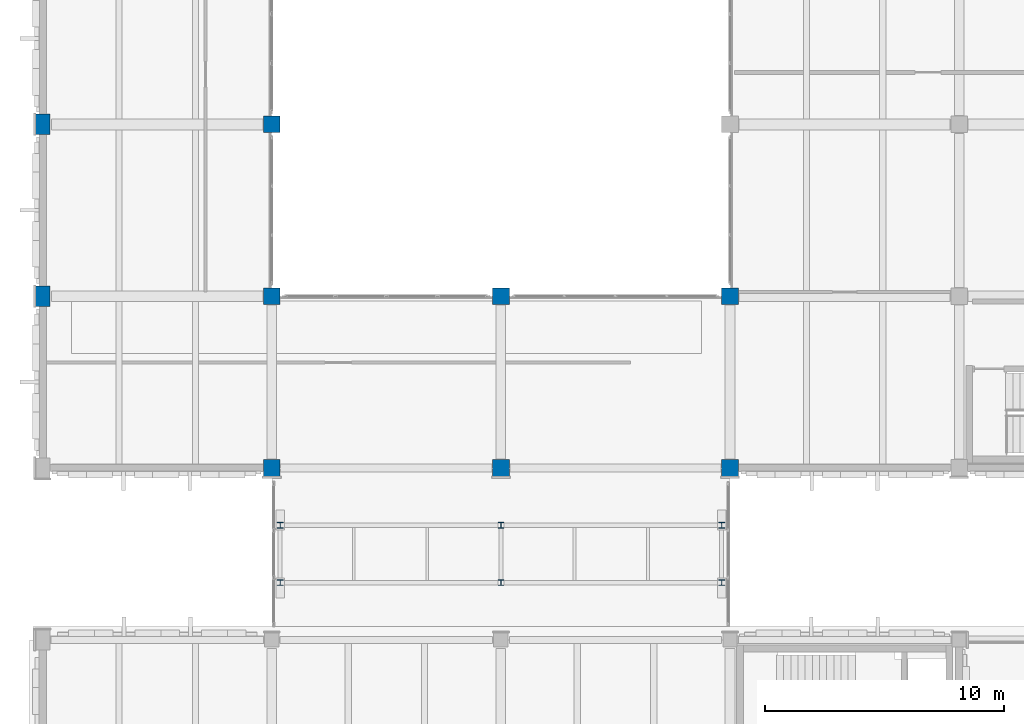
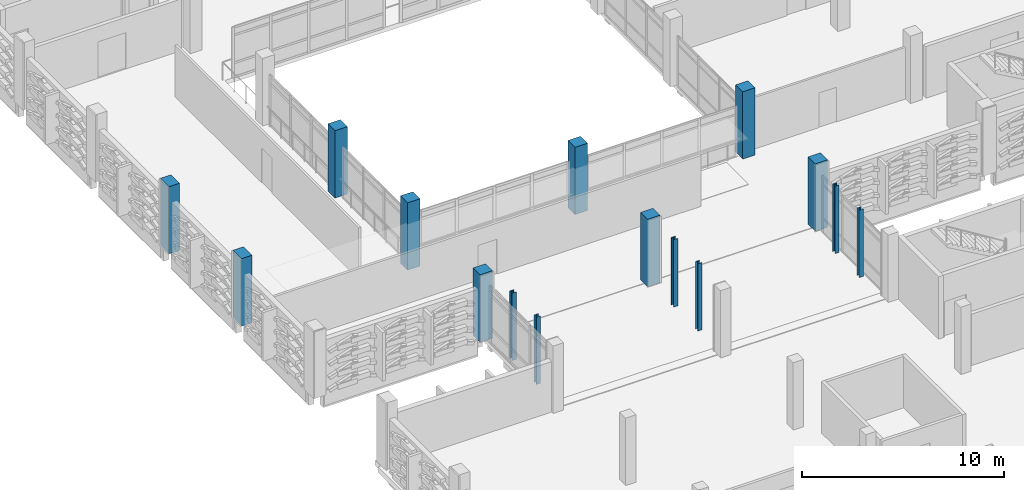
# One storey, part 3 of 134: 15 columns.
"""IFC4 building model written with IfcOpenShell, lengths in metres."""

from ifc_helpers import new_model, si_unit, direction, frame, origin, origin_2d, place, context, subcontext, project, spatial, rectangle, i_section, extrude, material, material_profile, profile_set, type_object, element, save


model = new_model("IFC4")

# Units and contexts
model_context = context("Model", 3, precision=1e-05, world=origin(), true_north=direction((0.0, 1.0)))
body_context = subcontext(model_context, "Body", "Model", "MODEL_VIEW")
ifc_project = project(units=[si_unit("LENGTHUNIT", "METRE"), si_unit("AREAUNIT", "SQUARE_METRE"), si_unit("VOLUMEUNIT", "CUBIC_METRE"), si_unit("PLANEANGLEUNIT", "RADIAN"), si_unit("MASSUNIT", "GRAM", prefix="KILO")], contexts=[model_context])

# Site, building, storey
site_placement = place(None, origin())
site = spatial("IfcSite", under=ifc_project, at=site_placement, CompositionType="ELEMENT")
building_placement = place(site_placement, origin())
building = spatial("IfcBuilding", under=site, at=building_placement, Name="Asteropetra Specialist Clinic", CompositionType="ELEMENT")
storey_placement = place(building_placement, frame((0.0, 0.0, 8.5)))
storey = spatial("IfcBuildingStorey", under=building, at=storey_placement, Name="L02", CompositionType="ELEMENT", Elevation=8.5)

# Columns
ifc_material_1 = material(Name="Concrete C35/45", Category="concrete")
ifc_material_profile_1 = material_profile(ifc_material_1, rectangle(XDim=0.60009765625, YDim=0.85009765625, at=origin_2d()), Name="RC 600x850")
ifc_profile_set_1 = profile_set([ifc_material_profile_1], Name="Concrete C35/45")
column_type_1 = type_object("IfcColumnType", Name="COL-RC600x850", PredefinedType="COLUMN", material=ifc_profile_set_1)
for number, where, z_axis, x_axis, name in (
    (1, (0.0, 76.800048828125, 0.0), (0.0, 0.0, 1.0), (1.0, 0.0, 0.0), "Column CCOL09-0047"),
    (2, (0.0, 84.0, 0.0), (0.0, 0.0, 1.0), (1.0, 0.0, 0.0), "Column CCOL09-0053"),
):
    element("IfcColumn", number, at=place(storey_placement, frame(where, z_axis=z_axis, x_axis=x_axis)), inside=storey, type_object=column_type_1, Name=name, PredefinedType="COLUMN", context=body_context, shape_type="SweptSolid", body=[
        extrude(rectangle(XDim=0.60009765625, YDim=0.85009765625, at=origin_2d()), origin(), (0.0, 0.0, 1.0), 4.080078125),
    ])
ifc_material_2 = material(Name="Concrete C35/45", Category="concrete")
ifc_material_profile_2 = material_profile(ifc_material_2, rectangle(XDim=0.699951171875, YDim=0.699951171875, at=origin_2d()), Name="RC 700x700")
ifc_profile_set_2 = profile_set([ifc_material_profile_2], Name="Concrete C35/45")
column_type_2 = type_object("IfcColumnType", Name="COL-RC700", PredefinedType="COLUMN", material=ifc_profile_set_2)
for number, where, z_axis, x_axis, name in (
    (3, (9.60009765625, 69.60009765625, 0.0), (0.0, 0.0, 1.0), (1.0, 0.0, 0.0), "Column CCOL03-0123"),
    (4, (9.60009765625, 76.800048828125, 0.0), (0.0, 0.0, 1.0), (1.0, 0.0, 0.0), "Column CCOL03-0127"),
    (5, (9.60009765625, 84.0, 0.0), (0.0, 0.0, 1.0), (1.0, 0.0, 0.0), "Column CCOL03-0133"),
    (6, (19.199951171875, 69.60009765625, 0.0), (0.0, 0.0, 1.0), (1.0, 0.0, 0.0), "Column CCOL03-0235"),
    (7, (19.199951171875, 76.800048828125, 0.0), (0.0, 0.0, 1.0), (1.0, 0.0, 0.0), "Column CCOL03-0239"),
    (8, (28.800048828125, 69.60009765625, 0.0), (0.0, 0.0, 1.0), (1.0, 0.0, 0.0), "Column CCOL03-0319"),
    (9, (28.800048828125, 76.800048828125, 0.0), (0.0, 0.0, 1.0), (1.0, 0.0, 0.0), "Column CCOL03-0323"),
):
    element("IfcColumn", number, at=place(storey_placement, frame(where, z_axis=z_axis, x_axis=x_axis)), inside=storey, type_object=column_type_2, Name=name, PredefinedType="COLUMN", context=body_context, shape_type="SweptSolid", body=[
        extrude(rectangle(XDim=0.699951171875, YDim=0.699951171875, at=origin_2d()), origin(), (0.0, 0.0, 1.0), 4.080078125),
    ])
ifc_material_3 = material(Name="Steel S355", Category="steel")
ifc_material_profile_3 = material_profile(ifc_material_3, i_section(OverallWidth=0.239990234375, OverallDepth=0.239990234375, WebThickness=0.010009765625, FlangeThickness=0.01708984375, FilletRadius=0.02099609375, at=origin_2d()), Name="HEB 240")
ifc_profile_set_3 = profile_set([ifc_material_profile_3], Name="Steel S355")
column_type_3 = type_object("IfcColumnType", Name="COL-STL-HEB240", PredefinedType="COLUMN", material=ifc_profile_set_3)
for number, where, z_axis, x_axis, name in (
    (10, (9.949951171875, 64.800048828125, 0.0), (0.0, 0.0, 1.0), (1.0, 0.0, 0.0), "Column CCOLS2-0171"),
    (11, (9.949951171875, 67.199951171875, 0.0), (0.0, 0.0, 1.0), (1.0, 0.0, 0.0), "Column CCOLS2-0175"),
    (12, (19.199951171875, 64.800048828125, 0.0), (0.0, 0.0, 1.0), (1.0, 0.0, 0.0), "Column CCOLS2-0227"),
    (13, (19.199951171875, 67.199951171875, 0.0), (0.0, 0.0, 1.0), (1.0, 0.0, 0.0), "Column CCOLS2-0231"),
    (14, (28.449951171875, 64.800048828125, 0.0), (0.0, 0.0, 1.0), (1.0, 0.0, 0.0), "Column CCOLS2-0271"),
    (15, (28.449951171875, 67.199951171875, 0.0), (0.0, 0.0, 1.0), (1.0, 0.0, 0.0), "Column CCOLS2-0275"),
):
    element("IfcColumn", number, at=place(storey_placement, frame(where, z_axis=z_axis, x_axis=x_axis)), inside=storey, type_object=column_type_3, Name=name, PredefinedType="COLUMN", context=body_context, shape_type="SweptSolid", body=[
        extrude(i_section(OverallWidth=0.239990234375, OverallDepth=0.239990234375, WebThickness=0.010009765625, FlangeThickness=0.01708984375, FilletRadius=0.02099609375, at=origin_2d()), origin(), (0.0, 0.0, 1.0), 4.080078125),
    ])

save(model, "model.ifc")
